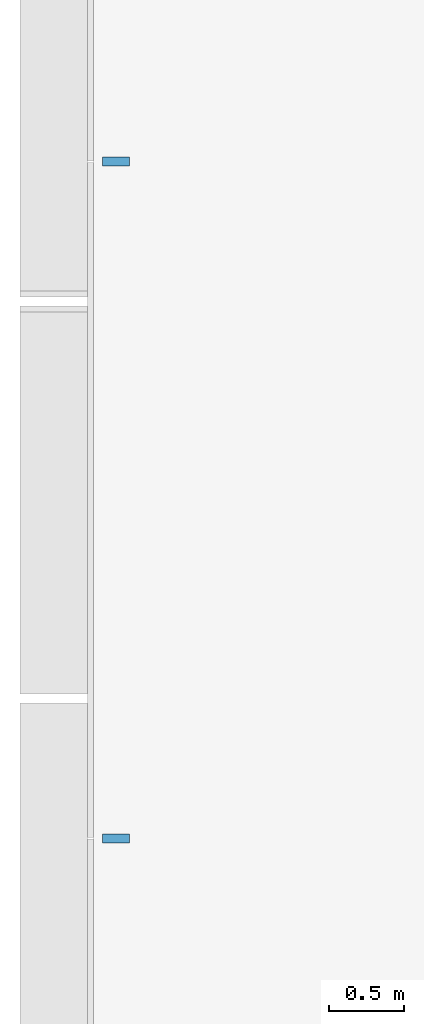
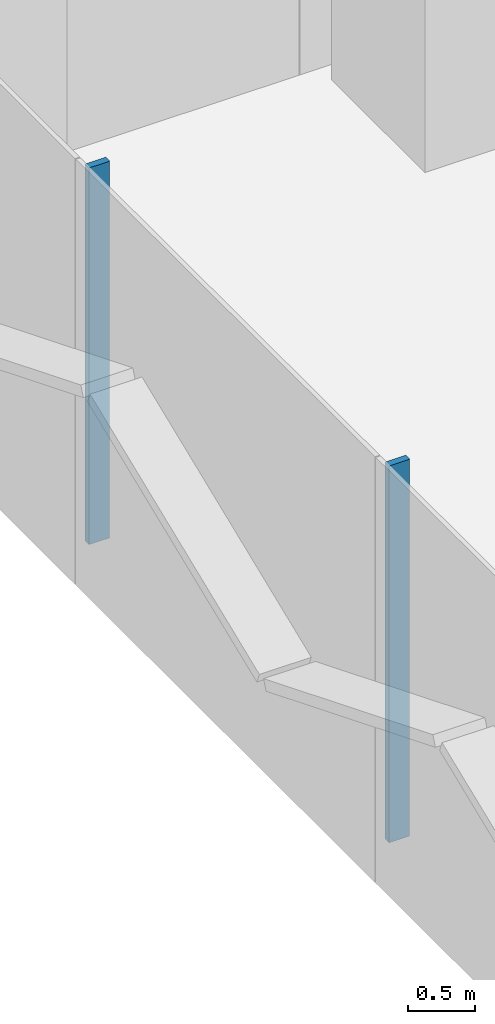
# One storey, part 4 of 21: 2 members, 1 element without a shape of its own.
"""IFC4 building model written with IfcOpenShell, lengths in metres."""

from ifc_helpers import new_model, si_unit, direction, frame, origin, origin_2d, place, context, subcontext, project, spatial, rectangle, extrude, material, layer, layer_set, material_profile, profile_set, type_object, element, aggregate, save


model = new_model("IFC4")

# Units and contexts
model_context = context("Model", 3, precision=1e-05, world=origin(), true_north=direction((0.0, 1.0)))
body_context = subcontext(model_context, "Body", "Model", "MODEL_VIEW")
ifc_project = project(units=[si_unit("LENGTHUNIT", "METRE"), si_unit("AREAUNIT", "SQUARE_METRE"), si_unit("VOLUMEUNIT", "CUBIC_METRE"), si_unit("PLANEANGLEUNIT", "RADIAN"), si_unit("MASSUNIT", "GRAM", prefix="KILO")], contexts=[model_context])

# Site, building, storey
site_placement = place(None, origin())
site = spatial("IfcSite", under=ifc_project, at=site_placement, CompositionType="ELEMENT")
building_placement = place(site_placement, origin())
building = spatial("IfcBuilding", under=site, at=building_placement, Name="Shamsa Quay Exchange Towers", CompositionType="ELEMENT")
storey_placement = place(building_placement, frame((0.0, 0.0, 57.60009765625)))
storey = spatial("IfcBuildingStorey", under=building, at=storey_placement, Name="L12", CompositionType="ELEMENT", Elevation=57.60009765625)

# Curtain wall, members
ifc_material = material(Name="Aluminium EN AW-6063 T6, black anodised", Category="aluminium")
ifc_layer = layer(ifc_material, 0.280029296875)
ifc_layer_set = layer_set([ifc_layer], Name="CW-1 UNITISED VISION GLASS")
curtain_wall_type = type_object("IfcCurtainWallType", Name="CW-1 UNITISED VISION GLASS", PredefinedType="NOTDEFINED", material=ifc_layer_set)
curtain_wall_placement = place(storey_placement, origin())
curtain_wall = element("IfcCurtainWall", 1, at=curtain_wall_placement, inside=storey, type_object=curtain_wall_type, Name="CW1 T1-END-U- L12", PredefinedType="NOTDEFINED")
ifc_material_profile = material_profile(ifc_material, rectangle(XDim=0.179931640625, YDim=0.06005859375, at=origin_2d()), Name="MU60x180")
ifc_profile_set = profile_set([ifc_material_profile], Name="Aluminium EN AW-6063 T6, black anodised")
member_type = type_object("IfcMemberType", Name="CW1 MULLION 60x180", PredefinedType="MULLION", material=ifc_profile_set)
member_1_placement = place(storey_placement, frame((-62.85009765625, 2.25, 0.0)))
member_1 = element("IfcMember", 2, at=member_1_placement, type_object=member_type, Name="CW1 mullion", PredefinedType="MULLION", context=body_context, shape_type="SweptSolid", body=[
    extrude(rectangle(XDim=0.179931640625, YDim=0.06005859375, at=origin_2d()), origin(), (0.0, 0.0, 1.0), 3.449951171875),
])
member_2_placement = place(storey_placement, frame((-62.85009765625, -2.25, 0.0)))
member_2 = element("IfcMember", 3, at=member_2_placement, type_object=member_type, Name="CW1 mullion", PredefinedType="MULLION", context=body_context, shape_type="SweptSolid", body=[
    extrude(rectangle(XDim=0.179931640625, YDim=0.06005859375, at=origin_2d()), origin(), (0.0, 0.0, 1.0), 3.449951171875),
])
aggregate(curtain_wall, [member_1, member_2])

save(model, "model.ifc")
